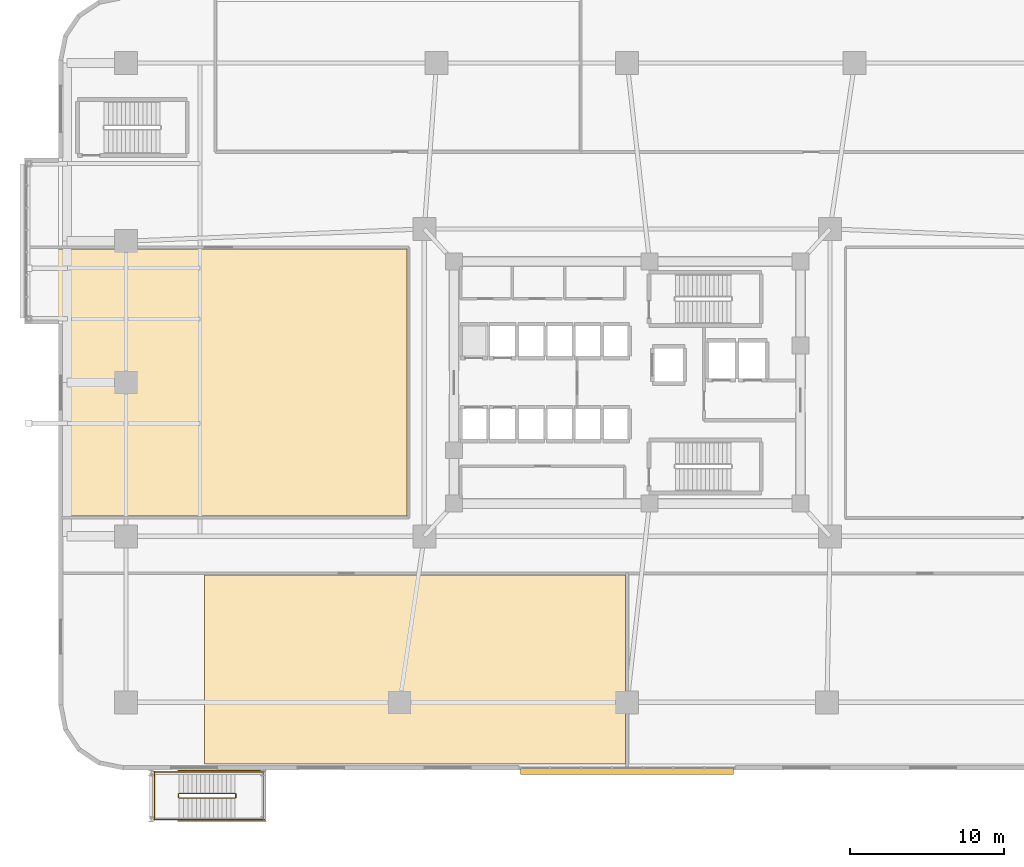
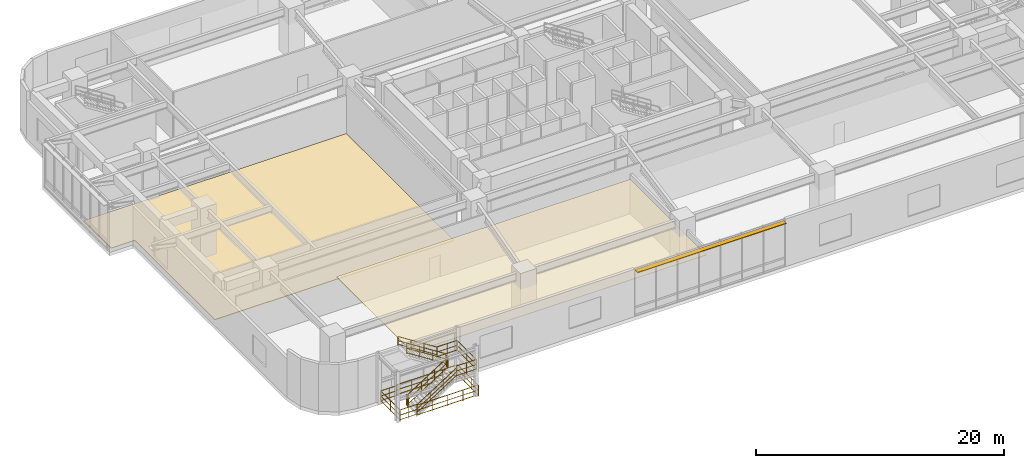
# One storey, part 19 of 23: 15 railings, 2 coverings, 1 shading device.
"""IFC4 building model written with IfcOpenShell, lengths in metres."""

from ifc_helpers import new_model, si_unit, direction, frame, origin, origin_2d, place, context, subcontext, project, spatial, polyline, rectangle, outline, extrude, material, layer, layer_set, type_object, element, save


model = new_model("IFC4")

# Units and contexts
model_context = context("Model", 3, precision=1e-05, world=origin(), true_north=direction((0.0, 1.0)))
body_context = subcontext(model_context, "Body", "Model", "MODEL_VIEW")
ifc_project = project(units=[si_unit("LENGTHUNIT", "METRE"), si_unit("AREAUNIT", "SQUARE_METRE"), si_unit("VOLUMEUNIT", "CUBIC_METRE"), si_unit("PLANEANGLEUNIT", "RADIAN"), si_unit("MASSUNIT", "GRAM", prefix="KILO")], contexts=[model_context])

# Site, building, storey
site_placement = place(None, origin())
site = spatial("IfcSite", under=ifc_project, at=site_placement, CompositionType="ELEMENT")
building_placement = place(site_placement, origin())
building = spatial("IfcBuilding", under=site, at=building_placement, Name="Zulverin Broadcast Headquarters", CompositionType="ELEMENT")
storey_placement = place(building_placement, frame((0.0, 0.0, 10.0)))
storey = spatial("IfcBuildingStorey", under=building, at=storey_placement, Name="L02", CompositionType="ELEMENT", Elevation=10.0)

# Coverings
ifc_material_1 = material(Name="Perforated pale-metal acoustic baffle ceiling", Category="aluminium")
ifc_layer_1 = layer(ifc_material_1, 0.0400390625, Name="Perforated pale-metal acoustic baffle ceiling", Category="aluminium")
ifc_layer_set_1 = layer_set([ifc_layer_1], Name="Perforated pale-metal acoustic baffle ceiling")
covering_type_1 = type_object("IfcCoveringType", Name="COV-CEIL-ACOU", PredefinedType="CEILING", material=ifc_layer_set_1)
covering_1_placement = place(storey_placement, frame((0.0, 0.0, 3.389892578125)))
element("IfcCovering", 1, at=covering_1_placement, inside=storey, type_object=covering_type_1, Name="L02 Acoustic Baffle Ceiling 01", PredefinedType="CEILING", context=body_context, shape_type="SweptSolid", body=[
    extrude(outline(polyline([(36.8798828125, 0.39990234375), (36.8798828125, 12.679931640625), (9.5, 12.679931640625), (9.5, 0.39990234375), (36.8798828125, 0.39990234375)])), origin(), (0.0, 0.0, 1.0), 0.0400390625),
])
ifc_material_2 = material(Name="Anti-static broadcast raised access flooring", Category="stone")
ifc_layer_2 = layer(ifc_material_2, 0.050048828125, Name="Anti-static broadcast raised access flooring", Category="stone")
ifc_layer_set_2 = layer_set([ifc_layer_2], Name="Anti-static broadcast raised access flooring")
covering_type_2 = type_object("IfcCoveringType", Name="COV-FLR-RAISED", PredefinedType="FLOORING", material=ifc_layer_set_2)
covering_2_placement = place(storey_placement, origin())
element("IfcCovering", 2, at=covering_2_placement, inside=storey, type_object=covering_type_2, Name="L02 Broadcast Raised Access Flooring 02", PredefinedType="FLOORING", context=body_context, shape_type="SweptSolid", body=[
    extrude(outline(polyline([(22.679931640625, 16.52001953125), (22.679931640625, 33.8798828125), (-1.800048828125, 33.8798828125), (-1.800048828125, 29.39990234375), (0.280029296875, 29.39990234375), (0.2919921875, 29.39990234375), (0.303955078125, 29.39599609375), (0.31591796875, 29.39599609375), (0.323974609375, 29.39208984375), (0.3359375, 29.384033203125), (0.347900390625, 29.3798828125), (0.35595703125, 29.3720703125), (0.364013671875, 29.364013671875), (0.3720703125, 29.35595703125), (0.3798828125, 29.347900390625), (0.384033203125, 29.3359375), (0.39208984375, 29.323974609375), (0.39599609375, 29.31591796875), (0.39599609375, 29.303955078125), (0.39990234375, 29.2919921875), (0.39990234375, 29.280029296875), (0.39990234375, 16.52001953125), (22.679931640625, 16.52001953125)])), origin(), (0.0, 0.0, 1.0), 0.050048828125),
])

# Railings
ifc_material_3 = material(Name="Painted galvanized steel tubular guardrail S355JR", Category="steel")
railing_type_1 = type_object("IfcRailingType", Name="RL-ST-GUARD", PredefinedType="GUARDRAIL", material=ifc_material_3)
railing_1_placement = place(storey_placement, frame((7.85009765625, -1.830078125, 0.178466796875)))
element("IfcRailing", 3, at=railing_1_placement, inside=storey, type_object=railing_type_1, Name="L02 ST-5 stair guard 1", PredefinedType="GUARDRAIL", context=body_context, shape_type="SweptSolid", body=[
    extrude(rectangle(XDim=0.048095703125, YDim=0.048095703125, at=origin_2d()), frame((0.0, 0.0, 1.076171875), z_axis=(0.843111507901, 0.0, 0.53773877045), x_axis=(0.0, 1.0, 0.0)), (0.0, 0.0, 1.0), 4.317138671875),
    extrude(rectangle(XDim=0.0419921875, YDim=0.0419921875, at=origin_2d()), frame((0.0, 0.0, 0.572021484375), z_axis=(0.843111507901, 0.0, 0.53773877045), x_axis=(0.0, 1.0, 0.0)), (0.0, 0.0, 1.0), 4.317138671875),
    extrude(rectangle(XDim=0.0419921875, YDim=0.0419921875, at=origin_2d()), frame((0.0, 0.0, 0.1201171875), z_axis=(0.843111507901, 0.0, 0.53773877045), x_axis=(0.0, 1.0, 0.0)), (0.0, 0.0, 1.0), 4.317138671875),
    extrude(rectangle(XDim=0.0419921875, YDim=0.0419921875, at=origin_2d()), origin(), (0.0, 0.0, 1.0), 1.052001953125),
    extrude(rectangle(XDim=0.0419921875, YDim=0.0419921875, at=origin_2d()), frame((1.21337890625, 0.0, 0.77392578125)), (0.0, 0.0, 1.0), 1.052001953125),
    extrude(rectangle(XDim=0.0419921875, YDim=0.0419921875, at=origin_2d()), frame((2.426513671875, 0.0, 1.547607421875)), (0.0, 0.0, 1.0), 1.052001953125),
    extrude(rectangle(XDim=0.0419921875, YDim=0.0419921875, at=origin_2d()), frame((3.639892578125, 0.0, 2.321533203125)), (0.0, 0.0, 1.0), 1.052001953125),
])
railing_2_placement = place(storey_placement, frame((11.5400390625, -1.780029296875, 2.5)))
element("IfcRailing", 4, at=railing_2_placement, inside=storey, type_object=railing_type_1, Name="L02 ST-5 stair guard 2", PredefinedType="GUARDRAIL", context=body_context, shape_type="SweptSolid", body=[
    extrude(rectangle(XDim=0.048095703125, YDim=0.048095703125, at=origin_2d()), frame((0.0, 0.0, 1.076171875), z_axis=(0.0, 1.0, 0.0), x_axis=(-1.0, 0.0, 0.0)), (0.0, 0.0, 1.0), 0.199951171875),
    extrude(rectangle(XDim=0.0419921875, YDim=0.0419921875, at=origin_2d()), frame((0.0, 0.0, 0.572021484375), z_axis=(0.0, 1.0, 0.0), x_axis=(-1.0, 0.0, 0.0)), (0.0, 0.0, 1.0), 0.199951171875),
    extrude(rectangle(XDim=0.0419921875, YDim=0.0419921875, at=origin_2d()), frame((0.0, 0.0, 0.1201171875), z_axis=(0.0, 1.0, 0.0), x_axis=(-1.0, 0.0, 0.0)), (0.0, 0.0, 1.0), 0.199951171875),
    extrude(rectangle(XDim=0.0419921875, YDim=0.0419921875, at=origin_2d()), origin(), (0.0, 0.0, 1.0), 1.052001953125),
    extrude(rectangle(XDim=0.0419921875, YDim=0.0419921875, at=origin_2d()), frame((0.0, 0.199951171875, 0.0)), (0.0, 0.0, 1.0), 1.052001953125),
])
for number, where, name in (
    (5, (11.489990234375, -3.22998046875, 2.5), "L02 ST-5 stair guard 3"),
    (6, (11.489990234375, -0.1298828125, 2.5), "L02 ST-5 stair guard 4"),
):
    element("IfcRailing", number, at=place(storey_placement, frame(where)), inside=storey, type_object=railing_type_1, Name=name, PredefinedType="GUARDRAIL", context=body_context, shape_type="SweptSolid", body=[
        extrude(rectangle(XDim=0.048095703125, YDim=0.048095703125, at=origin_2d()), frame((0.0, 0.0, 1.076171875), z_axis=(1.0, 0.0, 0.0), x_axis=(0.0, 1.0, 0.0)), (0.0, 0.0, 1.0), 1.909912109375),
        extrude(rectangle(XDim=0.0419921875, YDim=0.0419921875, at=origin_2d()), frame((0.0, 0.0, 0.572021484375), z_axis=(1.0, 0.0, 0.0), x_axis=(0.0, 1.0, 0.0)), (0.0, 0.0, 1.0), 1.909912109375),
        extrude(rectangle(XDim=0.0419921875, YDim=0.0419921875, at=origin_2d()), frame((0.0, 0.0, 0.1201171875), z_axis=(1.0, 0.0, 0.0), x_axis=(0.0, 1.0, 0.0)), (0.0, 0.0, 1.0), 1.909912109375),
        extrude(rectangle(XDim=0.0419921875, YDim=0.0419921875, at=origin_2d()), origin(), (0.0, 0.0, 1.0), 1.052001953125),
        extrude(rectangle(XDim=0.0419921875, YDim=0.0419921875, at=origin_2d()), frame((0.955078125, 0.0, 0.0)), (0.0, 0.0, 1.0), 1.052001953125),
        extrude(rectangle(XDim=0.0419921875, YDim=0.0419921875, at=origin_2d()), frame((1.909912109375, 0.0, 0.0)), (0.0, 0.0, 1.0), 1.052001953125),
    ])
railing_3_placement = place(storey_placement, frame((13.35009765625, -3.280029296875, 2.5)))
element("IfcRailing", 7, at=railing_3_placement, inside=storey, type_object=railing_type_1, Name="L02 ST-5 stair guard 5", PredefinedType="GUARDRAIL", context=body_context, shape_type="SweptSolid", body=[
    extrude(rectangle(XDim=0.048095703125, YDim=0.048095703125, at=origin_2d()), frame((0.0, 0.0, 1.076171875), z_axis=(0.0, 1.0, 0.0), x_axis=(-1.0, 0.0, 0.0)), (0.0, 0.0, 1.0), 3.199951171875),
    extrude(rectangle(XDim=0.0419921875, YDim=0.0419921875, at=origin_2d()), frame((0.0, 0.0, 0.572021484375), z_axis=(0.0, 1.0, 0.0), x_axis=(-1.0, 0.0, 0.0)), (0.0, 0.0, 1.0), 3.199951171875),
    extrude(rectangle(XDim=0.0419921875, YDim=0.0419921875, at=origin_2d()), frame((0.0, 0.0, 0.1201171875), z_axis=(0.0, 1.0, 0.0), x_axis=(-1.0, 0.0, 0.0)), (0.0, 0.0, 1.0), 3.199951171875),
    extrude(rectangle(XDim=0.0419921875, YDim=0.0419921875, at=origin_2d()), origin(), (0.0, 0.0, 1.0), 1.052001953125),
    extrude(rectangle(XDim=0.0419921875, YDim=0.0419921875, at=origin_2d()), frame((0.0, 1.60009765625, 0.0)), (0.0, 0.0, 1.0), 1.052001953125),
    extrude(rectangle(XDim=0.0419921875, YDim=0.0419921875, at=origin_2d()), frame((0.0, 3.199951171875, 0.0)), (0.0, 0.0, 1.0), 1.052001953125),
])
railing_4_placement = place(storey_placement, frame((11.489990234375, -1.530029296875, 2.678466796875)))
element("IfcRailing", 8, at=railing_4_placement, inside=storey, type_object=railing_type_1, Name="L02 ST-5 stair guard 6", PredefinedType="GUARDRAIL", context=body_context, shape_type="SweptSolid", body=[
    extrude(rectangle(XDim=0.048095703125, YDim=0.048095703125, at=origin_2d()), frame((0.0, 0.0, 1.076171875), z_axis=(-0.843111507901, 0.0, 0.53773877045), x_axis=(0.0, -1.0, 0.0)), (0.0, 0.0, 1.0), 4.317138671875),
    extrude(rectangle(XDim=0.0419921875, YDim=0.0419921875, at=origin_2d()), frame((0.0, 0.0, 0.572021484375), z_axis=(-0.843111507901, 0.0, 0.53773877045), x_axis=(0.0, -1.0, 0.0)), (0.0, 0.0, 1.0), 4.317138671875),
    extrude(rectangle(XDim=0.0419921875, YDim=0.0419921875, at=origin_2d()), frame((0.0, 0.0, 0.1201171875), z_axis=(-0.843111507901, 0.0, 0.53773877045), x_axis=(0.0, -1.0, 0.0)), (0.0, 0.0, 1.0), 4.317138671875),
    extrude(rectangle(XDim=0.0419921875, YDim=0.0419921875, at=origin_2d()), origin(), (0.0, 0.0, 1.0), 1.052001953125),
    extrude(rectangle(XDim=0.0419921875, YDim=0.0419921875, at=origin_2d()), frame((-1.21337890625, 0.0, 0.77392578125)), (0.0, 0.0, 1.0), 1.052001953125),
    extrude(rectangle(XDim=0.0419921875, YDim=0.0419921875, at=origin_2d()), frame((-2.426513671875, 0.0, 1.547607421875)), (0.0, 0.0, 1.0), 1.052001953125),
    extrude(rectangle(XDim=0.0419921875, YDim=0.0419921875, at=origin_2d()), frame((-3.639892578125, 0.0, 2.321533203125)), (0.0, 0.0, 1.0), 1.052001953125),
])
railing_5_placement = place(storey_placement, frame((7.800048828125, -1.780029296875, 0.0)))
element("IfcRailing", 9, at=railing_5_placement, inside=storey, type_object=railing_type_1, Name="L02 ST-5 stair guard 7", PredefinedType="GUARDRAIL", context=body_context, shape_type="SweptSolid", body=[
    extrude(rectangle(XDim=0.048095703125, YDim=0.048095703125, at=origin_2d()), frame((0.0, 0.0, 1.076171875), z_axis=(0.0, 1.0, 0.0), x_axis=(-1.0, 0.0, 0.0)), (0.0, 0.0, 1.0), 0.199951171875),
    extrude(rectangle(XDim=0.0419921875, YDim=0.0419921875, at=origin_2d()), frame((0.0, 0.0, 0.572021484375), z_axis=(0.0, 1.0, 0.0), x_axis=(-1.0, 0.0, 0.0)), (0.0, 0.0, 1.0), 0.199951171875),
    extrude(rectangle(XDim=0.0419921875, YDim=0.0419921875, at=origin_2d()), frame((0.0, 0.0, 0.1201171875), z_axis=(0.0, 1.0, 0.0), x_axis=(-1.0, 0.0, 0.0)), (0.0, 0.0, 1.0), 0.199951171875),
    extrude(rectangle(XDim=0.0419921875, YDim=0.0419921875, at=origin_2d()), origin(), (0.0, 0.0, 1.0), 1.052001953125),
    extrude(rectangle(XDim=0.0419921875, YDim=0.0419921875, at=origin_2d()), frame((0.0, 0.199951171875, 0.0)), (0.0, 0.0, 1.0), 1.052001953125),
])
for number, where, name in (
    (10, (6.199951171875, -3.22998046875, 0.0), "L02 ST-5 stair guard 8"),
    (11, (6.199951171875, -0.1298828125, 0.0), "L02 ST-5 stair guard 9"),
):
    element("IfcRailing", number, at=place(storey_placement, frame(where)), inside=storey, type_object=railing_type_1, Name=name, PredefinedType="GUARDRAIL", context=body_context, shape_type="SweptSolid", body=[
        extrude(rectangle(XDim=0.048095703125, YDim=0.048095703125, at=origin_2d()), frame((0.0, 0.0, 1.076171875), z_axis=(1.0, 0.0, 0.0), x_axis=(0.0, 1.0, 0.0)), (0.0, 0.0, 1.0), 1.650146484375),
        extrude(rectangle(XDim=0.0419921875, YDim=0.0419921875, at=origin_2d()), frame((0.0, 0.0, 0.572021484375), z_axis=(1.0, 0.0, 0.0), x_axis=(0.0, 1.0, 0.0)), (0.0, 0.0, 1.0), 1.650146484375),
        extrude(rectangle(XDim=0.0419921875, YDim=0.0419921875, at=origin_2d()), frame((0.0, 0.0, 0.1201171875), z_axis=(1.0, 0.0, 0.0), x_axis=(0.0, 1.0, 0.0)), (0.0, 0.0, 1.0), 1.650146484375),
        extrude(rectangle(XDim=0.0419921875, YDim=0.0419921875, at=origin_2d()), origin(), (0.0, 0.0, 1.0), 1.052001953125),
        extrude(rectangle(XDim=0.0419921875, YDim=0.0419921875, at=origin_2d()), frame((0.8251953125, 0.0, 0.0)), (0.0, 0.0, 1.0), 1.052001953125),
        extrude(rectangle(XDim=0.0419921875, YDim=0.0419921875, at=origin_2d()), frame((1.650146484375, 0.0, 0.0)), (0.0, 0.0, 1.0), 1.052001953125),
    ])
railing_6_placement = place(storey_placement, frame((6.25, -3.280029296875, 0.0)))
element("IfcRailing", 12, at=railing_6_placement, inside=storey, type_object=railing_type_1, Name="L02 ST-5 stair guard 10", PredefinedType="GUARDRAIL", context=body_context, shape_type="SweptSolid", body=[
    extrude(rectangle(XDim=0.048095703125, YDim=0.048095703125, at=origin_2d()), frame((0.0, 0.0, 1.076171875), z_axis=(0.0, 1.0, 0.0), x_axis=(-1.0, 0.0, 0.0)), (0.0, 0.0, 1.0), 3.199951171875),
    extrude(rectangle(XDim=0.0419921875, YDim=0.0419921875, at=origin_2d()), frame((0.0, 0.0, 0.572021484375), z_axis=(0.0, 1.0, 0.0), x_axis=(-1.0, 0.0, 0.0)), (0.0, 0.0, 1.0), 3.199951171875),
    extrude(rectangle(XDim=0.0419921875, YDim=0.0419921875, at=origin_2d()), frame((0.0, 0.0, 0.1201171875), z_axis=(0.0, 1.0, 0.0), x_axis=(-1.0, 0.0, 0.0)), (0.0, 0.0, 1.0), 3.199951171875),
    extrude(rectangle(XDim=0.0419921875, YDim=0.0419921875, at=origin_2d()), origin(), (0.0, 0.0, 1.0), 1.052001953125),
    extrude(rectangle(XDim=0.0419921875, YDim=0.0419921875, at=origin_2d()), frame((0.0, 1.60009765625, 0.0)), (0.0, 0.0, 1.0), 1.052001953125),
    extrude(rectangle(XDim=0.0419921875, YDim=0.0419921875, at=origin_2d()), frame((0.0, 3.199951171875, 0.0)), (0.0, 0.0, 1.0), 1.052001953125),
])
for number, where, name in (
    (13, (7.75, -3.330078125, 0.0), "L02 ST-5 stair guard 11"),
    (14, (7.75, -0.030029296875, 0.0), "L02 ST-5 stair guard 12"),
):
    element("IfcRailing", number, at=place(storey_placement, frame(where)), inside=storey, type_object=railing_type_1, Name=name, PredefinedType="GUARDRAIL", context=body_context, shape_type="SweptSolid", body=[
        extrude(rectangle(XDim=0.048095703125, YDim=0.048095703125, at=origin_2d()), frame((0.0, 0.0, 1.076171875), z_axis=(1.0, 0.0, 0.0), x_axis=(0.0, 1.0, 0.0)), (0.0, 0.0, 1.0), 5.75),
        extrude(rectangle(XDim=0.0419921875, YDim=0.0419921875, at=origin_2d()), frame((0.0, 0.0, 0.572021484375), z_axis=(1.0, 0.0, 0.0), x_axis=(0.0, 1.0, 0.0)), (0.0, 0.0, 1.0), 5.75),
        extrude(rectangle(XDim=0.0419921875, YDim=0.0419921875, at=origin_2d()), frame((0.0, 0.0, 0.1201171875), z_axis=(1.0, 0.0, 0.0), x_axis=(0.0, 1.0, 0.0)), (0.0, 0.0, 1.0), 5.75),
        extrude(rectangle(XDim=0.0419921875, YDim=0.0419921875, at=origin_2d()), origin(), (0.0, 0.0, 1.0), 1.052001953125),
        extrude(rectangle(XDim=0.0419921875, YDim=0.0419921875, at=origin_2d()), frame((1.4375, 0.0, 0.0)), (0.0, 0.0, 1.0), 1.052001953125),
        extrude(rectangle(XDim=0.0419921875, YDim=0.0419921875, at=origin_2d()), frame((2.875, 0.0, 0.0)), (0.0, 0.0, 1.0), 1.052001953125),
        extrude(rectangle(XDim=0.0419921875, YDim=0.0419921875, at=origin_2d()), frame((4.3125, 0.0, 0.0)), (0.0, 0.0, 1.0), 1.052001953125),
        extrude(rectangle(XDim=0.0419921875, YDim=0.0419921875, at=origin_2d()), frame((5.75, 0.0, 0.0)), (0.0, 0.0, 1.0), 1.052001953125),
    ])
railing_7_placement = place(storey_placement, frame((13.449951171875, -3.3798828125, 0.0)))
element("IfcRailing", 15, at=railing_7_placement, inside=storey, type_object=railing_type_1, Name="L02 ST-5 stair guard 13", PredefinedType="GUARDRAIL", context=body_context, shape_type="SweptSolid", body=[
    extrude(rectangle(XDim=0.048095703125, YDim=0.048095703125, at=origin_2d()), frame((0.0, 0.0, 1.076171875), z_axis=(0.0, 1.0, 0.0), x_axis=(-1.0, 0.0, 0.0)), (0.0, 0.0, 1.0), 3.39990234375),
    extrude(rectangle(XDim=0.0419921875, YDim=0.0419921875, at=origin_2d()), frame((0.0, 0.0, 0.572021484375), z_axis=(0.0, 1.0, 0.0), x_axis=(-1.0, 0.0, 0.0)), (0.0, 0.0, 1.0), 3.39990234375),
    extrude(rectangle(XDim=0.0419921875, YDim=0.0419921875, at=origin_2d()), frame((0.0, 0.0, 0.1201171875), z_axis=(0.0, 1.0, 0.0), x_axis=(-1.0, 0.0, 0.0)), (0.0, 0.0, 1.0), 3.39990234375),
    extrude(rectangle(XDim=0.0419921875, YDim=0.0419921875, at=origin_2d()), origin(), (0.0, 0.0, 1.0), 1.052001953125),
    extrude(rectangle(XDim=0.0419921875, YDim=0.0419921875, at=origin_2d()), frame((0.0, 1.13330078125, 0.0)), (0.0, 0.0, 1.0), 1.052001953125),
    extrude(rectangle(XDim=0.0419921875, YDim=0.0419921875, at=origin_2d()), frame((0.0, 2.2666015625, 0.0)), (0.0, 0.0, 1.0), 1.052001953125),
    extrude(rectangle(XDim=0.0419921875, YDim=0.0419921875, at=origin_2d()), frame((0.0, 3.39990234375, 0.0)), (0.0, 0.0, 1.0), 1.052001953125),
])
ifc_material_4 = material(Name="Brushed stainless steel 48 mm handrail", Category="steel")
railing_type_2 = type_object("IfcRailingType", Name="RL-ST-HAND", PredefinedType="HANDRAIL", material=ifc_material_4)
railing_8_placement = place(storey_placement, frame((7.85009765625, -3.22998046875, 0.178466796875)))
element("IfcRailing", 16, at=railing_8_placement, inside=storey, type_object=railing_type_2, Name="L02 ST-5 stair handrail 1", PredefinedType="HANDRAIL", context=body_context, shape_type="SweptSolid", body=[
    extrude(rectangle(XDim=0.048095703125, YDim=0.048095703125, at=origin_2d()), frame((0.0, 0.0, 0.8759765625), z_axis=(0.843111507901, 0.0, 0.53773877045), x_axis=(0.0, 1.0, 0.0)), (0.0, 0.0, 1.0), 4.317138671875),
    extrude(rectangle(XDim=0.0419921875, YDim=0.0419921875, at=origin_2d()), frame((0.0, 0.0, 0.468017578125), z_axis=(0.843111507901, 0.0, 0.53773877045), x_axis=(0.0, 1.0, 0.0)), (0.0, 0.0, 1.0), 4.317138671875),
    extrude(rectangle(XDim=0.0419921875, YDim=0.0419921875, at=origin_2d()), frame((0.0, 0.0, 0.1201171875), z_axis=(0.843111507901, 0.0, 0.53773877045), x_axis=(0.0, 1.0, 0.0)), (0.0, 0.0, 1.0), 4.317138671875),
    extrude(rectangle(XDim=0.0419921875, YDim=0.0419921875, at=origin_2d()), origin(), (0.0, 0.0, 1.0), 0.851806640625),
    extrude(rectangle(XDim=0.0419921875, YDim=0.0419921875, at=origin_2d()), frame((1.21337890625, 0.0, 0.77392578125)), (0.0, 0.0, 1.0), 0.851806640625),
    extrude(rectangle(XDim=0.0419921875, YDim=0.0419921875, at=origin_2d()), frame((2.426513671875, 0.0, 1.547607421875)), (0.0, 0.0, 1.0), 0.851806640625),
    extrude(rectangle(XDim=0.0419921875, YDim=0.0419921875, at=origin_2d()), frame((3.639892578125, 0.0, 2.321533203125)), (0.0, 0.0, 1.0), 0.851806640625),
])
railing_9_placement = place(storey_placement, frame((11.489990234375, -0.1298828125, 2.678466796875)))
element("IfcRailing", 17, at=railing_9_placement, inside=storey, type_object=railing_type_2, Name="L02 ST-5 stair handrail 2", PredefinedType="HANDRAIL", context=body_context, shape_type="SweptSolid", body=[
    extrude(rectangle(XDim=0.048095703125, YDim=0.048095703125, at=origin_2d()), frame((0.0, 0.0, 0.8759765625), z_axis=(-0.843111507901, 0.0, 0.53773877045), x_axis=(0.0, -1.0, 0.0)), (0.0, 0.0, 1.0), 4.317138671875),
    extrude(rectangle(XDim=0.0419921875, YDim=0.0419921875, at=origin_2d()), frame((0.0, 0.0, 0.468017578125), z_axis=(-0.843111507901, 0.0, 0.53773877045), x_axis=(0.0, -1.0, 0.0)), (0.0, 0.0, 1.0), 4.317138671875),
    extrude(rectangle(XDim=0.0419921875, YDim=0.0419921875, at=origin_2d()), frame((0.0, 0.0, 0.1201171875), z_axis=(-0.843111507901, 0.0, 0.53773877045), x_axis=(0.0, -1.0, 0.0)), (0.0, 0.0, 1.0), 4.317138671875),
    extrude(rectangle(XDim=0.0419921875, YDim=0.0419921875, at=origin_2d()), origin(), (0.0, 0.0, 1.0), 0.851806640625),
    extrude(rectangle(XDim=0.0419921875, YDim=0.0419921875, at=origin_2d()), frame((-1.21337890625, 0.0, 0.77392578125)), (0.0, 0.0, 1.0), 0.851806640625),
    extrude(rectangle(XDim=0.0419921875, YDim=0.0419921875, at=origin_2d()), frame((-2.426513671875, 0.0, 1.547607421875)), (0.0, 0.0, 1.0), 0.851806640625),
    extrude(rectangle(XDim=0.0419921875, YDim=0.0419921875, at=origin_2d()), frame((-3.639892578125, 0.0, 2.321533203125)), (0.0, 0.0, 1.0), 0.851806640625),
])

# Shading device
ifc_material_5 = material(Name="Anodized pale-metal aluminium sunshade", Category="aluminium")
ifc_layer_3 = layer(ifc_material_5, 0.06005859375, Name="Anodized pale-metal aluminium sunshade", Category="aluminium")
ifc_layer_set_3 = layer_set([ifc_layer_3], Name="Anodized pale-metal aluminium sunshade")
shading_device_type = type_object("IfcShadingDeviceType", Name="SS-01_PALE_METAL_ALUMINIUM_SUNSHADE", PredefinedType="USERDEFINED", material=ifc_layer_set_3)
shading_device_placement = place(storey_placement, frame((37.0, -0.080078125, 4.449951171875), z_axis=(0.0, 0.0, 1.0), x_axis=(1.0, 0.0, 0.0)))
element("IfcShadingDevice", 18, at=shading_device_placement, inside=storey, type_object=shading_device_type, Name="L02 Pale-Metal Horizontal Sunshade Band CW-L02-S4", ObjectType="SUNSHADE", PredefinedType="USERDEFINED", context=body_context, shape_type="SweptSolid", body=[
    extrude(rectangle(XDim=13.860107421875, YDim=0.449951171875, at=origin_2d()), origin(), (0.0, 0.0, 1.0), 0.06005859375),
])

save(model, "model.ifc")
